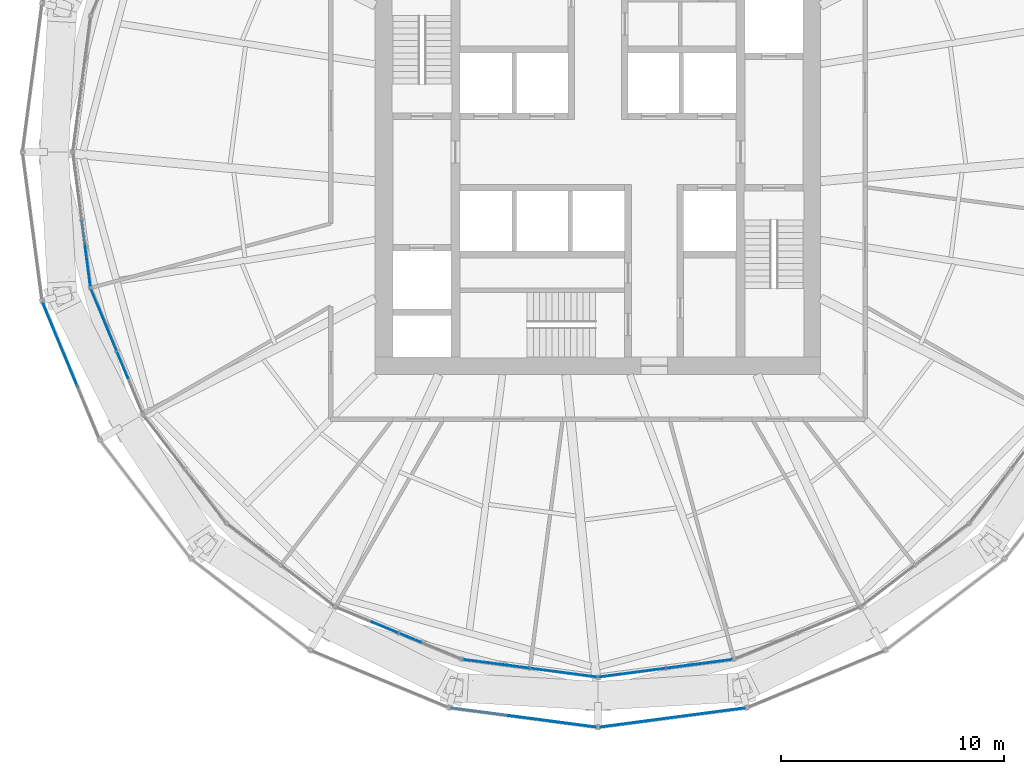
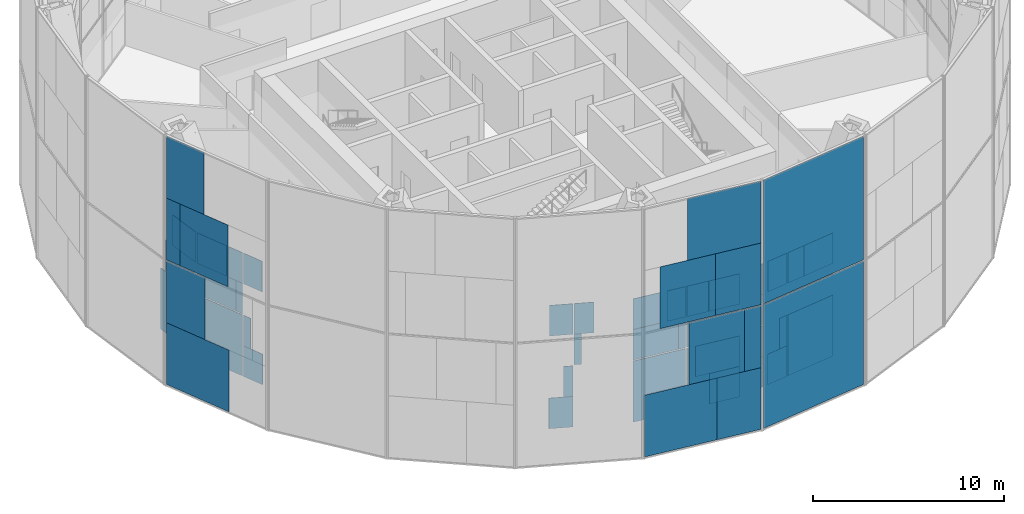
# One storey, part 11 of 22: 56 plates, 8 elements without a shape of their own.
"""IFC4 building model written with IfcOpenShell, lengths in metres."""

from ifc_helpers import new_model, si_unit, direction, frame, origin, origin_2d, place, context, subcontext, project, spatial, rectangle, extrude, material, layer, layer_set, type_object, element, aggregate, save


model = new_model("IFC4")

# Units and contexts
model_context = context("Model", 3, precision=1e-05, world=origin(), true_north=direction((0.0, 1.0)))
body_context = subcontext(model_context, "Body", "Model", "MODEL_VIEW")
ifc_project = project(units=[si_unit("LENGTHUNIT", "METRE"), si_unit("AREAUNIT", "SQUARE_METRE"), si_unit("VOLUMEUNIT", "CUBIC_METRE"), si_unit("PLANEANGLEUNIT", "RADIAN"), si_unit("MASSUNIT", "GRAM", prefix="KILO")], contexts=[model_context])

# Site, building, storey
site_placement = place(None, origin())
site = spatial("IfcSite", under=ifc_project, at=site_placement, CompositionType="ELEMENT")
building_placement = place(site_placement, origin())
building = spatial("IfcBuilding", under=site, at=building_placement, Name="Golbaran Civic Tower", CompositionType="ELEMENT")
storey_placement = place(building_placement, frame((0.0, 0.0, 53.0)))
storey = spatial("IfcBuildingStorey", under=building, at=storey_placement, Name="L12", CompositionType="ELEMENT", Elevation=53.0)

# Curtain wall, plates
ifc_material_1 = material(Name="Aluminium and glass", Category="aluminium")
curtain_wall_type_1 = type_object("IfcCurtainWallType", Name="INNER SKIN CURTAIN WALL", PredefinedType="NOTDEFINED", material=ifc_material_1)
curtain_wall_1_placement = place(storey_placement, origin())
curtain_wall_1 = element("IfcCurtainWall", 1, at=curtain_wall_1_placement, inside=storey, type_object=curtain_wall_type_1, Name="Inner skin L12 facet 13 CW1", ObjectType="INNER SKIN", PredefinedType="USERDEFINED")
ifc_material_2 = material(Name="Clear insulating glass", Category="glass")
ifc_layer_1 = layer(ifc_material_2, 0.031982421875, Name="Clear insulating glass")
ifc_layer_set_1 = layer_set([ifc_layer_1], Name="Clear insulating glass")
plate_type_1 = type_object("IfcPlateType", Name="INNER SKIN CURTAIN WALL GLAZED PANEL", PredefinedType="CURTAIN_PANEL", material=ifc_layer_set_1)
plate_1_placement = place(storey_placement, frame((-22.984375, -4.56201171875, 0.06494140625), z_axis=(0.0, 0.0, 1.0), x_axis=(0.13052619222, -0.991444861374, 0.0)))
plate_1 = element("IfcPlate", 2, at=plate_1_placement, type_object=plate_type_1, Name="CW1 panel 2.1", PredefinedType="CURTAIN_PANEL", context=body_context, shape_type="SweptSolid", body=[
    extrude(rectangle(XDim=2.98095703125, YDim=0.031982421875, at=origin_2d()), origin(), (0.0, 0.0, 1.0), 3.902587890625),
])
plate_2_placement = place(storey_placement, frame((-22.958251953125, -4.76025390625, 4.032470703125), z_axis=(0.0, 0.0, 1.0), x_axis=(0.13052619222, -0.991444861374, 0.0)))
plate_2 = element("IfcPlate", 3, at=plate_2_placement, type_object=plate_type_1, Name="CW1 panel 2.2 part 2", PredefinedType="CURTAIN_PANEL", context=body_context, shape_type="SweptSolid", body=[
    extrude(rectangle(XDim=2.5810546875, YDim=0.031982421875, at=origin_2d()), origin(), (0.0, 0.0, 1.0), 1.951171875),
])
plate_3_placement = place(storey_placement, frame((-22.916259765625, -5.080078125, 5.98388671875), z_axis=(0.0, 0.0, 1.0), x_axis=(0.13052619222, -0.991444861374, 0.0)))
plate_3 = element("IfcPlate", 4, at=plate_3_placement, type_object=plate_type_1, Name="CW1 panel 2.2 part 4", PredefinedType="CURTAIN_PANEL", context=body_context, shape_type="SweptSolid", body=[
    extrude(rectangle(XDim=1.93603515625, YDim=0.031982421875, at=origin_2d()), origin(), (0.0, 0.0, 1.0), 1.951171875),
])
aggregate(curtain_wall_1, [plate_1, plate_2, plate_3])

curtain_wall_2_placement = place(storey_placement, origin())
curtain_wall_2 = element("IfcCurtainWall", 5, at=curtain_wall_2_placement, inside=storey, type_object=curtain_wall_type_1, Name="Inner skin L12 facet 14 CW1", ObjectType="INNER SKIN", PredefinedType="USERDEFINED")
plate_4_placement = place(storey_placement, frame((-22.18603515625, -7.541259765625, 0.06494140625), z_axis=(0.0, 0.0, 1.0), x_axis=(0.382683432413, -0.923879532491, 0.0)))
plate_4 = element("IfcPlate", 6, at=plate_4_placement, type_object=plate_type_1, Name="CW1 panel 1.1", PredefinedType="CURTAIN_PANEL", context=body_context, shape_type="SweptSolid", body=[
    extrude(rectangle(XDim=2.98095703125, YDim=0.031982421875, at=origin_2d()), origin(), (0.0, 0.0, 1.0), 3.902587890625),
])
plate_5_placement = place(storey_placement, frame((-22.262939453125, -7.355712890625, 4.032470703125), z_axis=(0.0, 0.0, 1.0), x_axis=(0.382683432413, -0.923879532491, 0.0)))
plate_5 = element("IfcPlate", 7, at=plate_5_placement, type_object=plate_type_1, Name="CW1 panel 1.2 part 1", PredefinedType="CURTAIN_PANEL", context=body_context, shape_type="SweptSolid", body=[
    extrude(rectangle(XDim=2.5791015625, YDim=0.031982421875, at=origin_2d()), origin(), (0.0, 0.0, 1.0), 1.951171875),
])
plate_6_placement = place(storey_placement, frame((-22.385986328125, -7.05859375, 5.98388671875), z_axis=(0.0, 0.0, 1.0), x_axis=(0.382683432413, -0.923879532491, 0.0)))
plate_6 = element("IfcPlate", 8, at=plate_6_placement, type_object=plate_type_1, Name="CW1 panel 1.2 part 3", PredefinedType="CURTAIN_PANEL", context=body_context, shape_type="SweptSolid", body=[
    extrude(rectangle(XDim=1.93603515625, YDim=0.031982421875, at=origin_2d()), origin(), (0.0, 0.0, 1.0), 1.951171875),
])
plate_7_placement = place(storey_placement, frame((-21.34765625, -9.5654296875, 0.06494140625), z_axis=(0.0, 0.0, 1.0), x_axis=(0.382683432413, -0.923879532491, 0.0)))
plate_7 = element("IfcPlate", 9, at=plate_7_placement, type_object=plate_type_1, Name="CW1 panel 2.1 part 1", PredefinedType="CURTAIN_PANEL", context=body_context, shape_type="SweptSolid", body=[
    extrude(rectangle(XDim=1.27099609375, YDim=0.031982421875, at=origin_2d()), origin(), (0.0, 0.0, 1.0), 1.951171875),
])
plate_8_placement = place(storey_placement, frame((-21.497802734375, -9.202880859375, 2.016357421875), z_axis=(0.0, 0.0, 1.0), x_axis=(0.382683432413, -0.923879532491, 0.0)))
plate_8 = element("IfcPlate", 10, at=plate_8_placement, type_object=plate_type_1, Name="CW1 panel 2.1 part 3", PredefinedType="CURTAIN_PANEL", context=body_context, shape_type="SweptSolid", body=[
    extrude(rectangle(XDim=0.486083984375, YDim=0.031982421875, at=origin_2d()), origin(), (0.0, 0.0, 1.0), 1.951171875),
])

curtain_wall_3_placement = place(storey_placement, origin())
curtain_wall_3 = element("IfcCurtainWall", 11, at=curtain_wall_3_placement, inside=storey, type_object=curtain_wall_type_1, Name="Inner skin L12 facet 17 CW1", ObjectType="INNER SKIN", PredefinedType="USERDEFINED")
plate_9_placement = place(storey_placement, frame((-9.5654296875, -21.34765625, 0.06494140625), z_axis=(0.0, 0.0, 1.0), x_axis=(0.923879532491, -0.382683432413, 0.0)))
plate_9 = element("IfcPlate", 12, at=plate_9_placement, type_object=plate_type_1, Name="CW1 panel 1.1 part 2", PredefinedType="CURTAIN_PANEL", context=body_context, shape_type="SweptSolid", body=[
    extrude(rectangle(XDim=1.27099609375, YDim=0.031982421875, at=origin_2d()), origin(), (0.0, 0.0, 1.0), 1.951171875),
])
plate_10_placement = place(storey_placement, frame((-9.202880859375, -21.497802734375, 2.016357421875), z_axis=(0.0, 0.0, 1.0), x_axis=(0.923879532491, -0.382683432413, 0.0)))
plate_10 = element("IfcPlate", 13, at=plate_10_placement, type_object=plate_type_1, Name="CW1 panel 1.1 part 4", PredefinedType="CURTAIN_PANEL", context=body_context, shape_type="SweptSolid", body=[
    extrude(rectangle(XDim=0.48583984375, YDim=0.031982421875, at=origin_2d()), origin(), (0.0, 0.0, 1.0), 1.951171875),
])

curtain_wall_4_placement = place(storey_placement, origin())
curtain_wall_4 = element("IfcCurtainWall", 14, at=curtain_wall_4_placement, inside=storey, type_object=curtain_wall_type_1, Name="Inner skin L12 facet 18 CW1", ObjectType="INNER SKIN", PredefinedType="USERDEFINED")
plate_11_placement = place(storey_placement, frame((-4.56201171875, -22.984375, 0.06494140625), z_axis=(0.0, 0.0, 1.0), x_axis=(0.991444861374, -0.13052619222, 0.0)))
plate_11 = element("IfcPlate", 15, at=plate_11_placement, type_object=plate_type_1, Name="CW1 panel 1.1", PredefinedType="CURTAIN_PANEL", context=body_context, shape_type="SweptSolid", body=[
    extrude(rectangle(XDim=2.98095703125, YDim=0.031982421875, at=origin_2d()), origin(), (0.0, 0.0, 1.0), 3.902587890625),
])
plate_12_placement = place(storey_placement, frame((-4.76123046875, -22.958251953125, 4.032470703125), z_axis=(0.0, 0.0, 1.0), x_axis=(0.991444861374, -0.13052619222, 0.0)))
plate_12 = element("IfcPlate", 16, at=plate_12_placement, type_object=plate_type_1, Name="CW1 panel 1.2 part 1", PredefinedType="CURTAIN_PANEL", context=body_context, shape_type="SweptSolid", body=[
    extrude(rectangle(XDim=2.5791015625, YDim=0.031982421875, at=origin_2d()), origin(), (0.0, 0.0, 1.0), 1.951171875),
])
plate_13_placement = place(storey_placement, frame((-5.080078125, -22.916259765625, 5.98388671875), z_axis=(0.0, 0.0, 1.0), x_axis=(0.991444861374, -0.13052619222, 0.0)))
plate_13 = element("IfcPlate", 17, at=plate_13_placement, type_object=plate_type_1, Name="CW1 panel 1.2 part 3", PredefinedType="CURTAIN_PANEL", context=body_context, shape_type="SweptSolid", body=[
    extrude(rectangle(XDim=1.93603515625, YDim=0.031982421875, at=origin_2d()), origin(), (0.0, 0.0, 1.0), 1.951171875),
])
plate_14_placement = place(storey_placement, frame((-2.389892578125, -23.270263671875, 0.06494140625), z_axis=(0.0, 0.0, 1.0), x_axis=(0.991444861374, -0.13052619222, 0.0)))
plate_14 = element("IfcPlate", 18, at=plate_14_placement, type_object=plate_type_1, Name="CW1 panel 2.1 part 1", PredefinedType="CURTAIN_PANEL", context=body_context, shape_type="SweptSolid", body=[
    extrude(rectangle(XDim=1.27099609375, YDim=0.031982421875, at=origin_2d()), origin(), (0.0, 0.0, 1.0), 1.951171875),
])
plate_15_placement = place(storey_placement, frame((-2.779052734375, -23.21923828125, 2.016357421875), z_axis=(0.0, 0.0, 1.0), x_axis=(0.991444861374, -0.13052619222, 0.0)))
plate_15 = element("IfcPlate", 19, at=plate_15_placement, type_object=plate_type_1, Name="CW1 panel 2.1 part 3", PredefinedType="CURTAIN_PANEL", context=body_context, shape_type="SweptSolid", body=[
    extrude(rectangle(XDim=0.486083984375, YDim=0.031982421875, at=origin_2d()), origin(), (0.0, 0.0, 1.0), 1.951171875),
])
plate_16_placement = place(storey_placement, frame((-0.536376953125, -23.514404296875, 4.032470703125), z_axis=(0.0, 0.0, 1.0), x_axis=(0.991444861374, -0.13052619222, 0.0)))
plate_16 = element("IfcPlate", 20, at=plate_16_placement, type_object=plate_type_1, Name="CW1 panel 2.2 part 2", PredefinedType="CURTAIN_PANEL", context=body_context, shape_type="SweptSolid", body=[
    extrude(rectangle(XDim=0.951904296875, YDim=0.031982421875, at=origin_2d()), origin(), (0.0, 0.0, 1.0), 1.951171875),
])
plate_17_placement = place(storey_placement, frame((-0.927490234375, -23.462890625, 5.98388671875), z_axis=(0.0, 0.0, 1.0), x_axis=(0.991444861374, -0.13052619222, 0.0)))
plate_17 = element("IfcPlate", 21, at=plate_17_placement, type_object=plate_type_1, Name="CW1 panel 2.2 part 4", PredefinedType="CURTAIN_PANEL", context=body_context, shape_type="SweptSolid", body=[
    extrude(rectangle(XDim=1.740966796875, YDim=0.031982421875, at=origin_2d()), origin(), (0.0, 0.0, 1.0), 1.951171875),
])

curtain_wall_5_placement = place(storey_placement, origin())
curtain_wall_5 = element("IfcCurtainWall", 22, at=curtain_wall_5_placement, inside=storey, type_object=curtain_wall_type_1, Name="Inner skin L12 facet 19 CW1", ObjectType="INNER SKIN", PredefinedType="USERDEFINED")
plate_18_placement = place(storey_placement, frame((2.389892578125, -23.270263671875, 0.06494140625), z_axis=(0.0, 0.0, 1.0), x_axis=(0.991444861374, 0.13052619222, 0.0)))
plate_18 = element("IfcPlate", 23, at=plate_18_placement, type_object=plate_type_1, Name="CW1 panel 1.1 part 2", PredefinedType="CURTAIN_PANEL", context=body_context, shape_type="SweptSolid", body=[
    extrude(rectangle(XDim=1.27099609375, YDim=0.031982421875, at=origin_2d()), origin(), (0.0, 0.0, 1.0), 1.951171875),
])
plate_19_placement = place(storey_placement, frame((2.779052734375, -23.21923828125, 2.016357421875), z_axis=(0.0, 0.0, 1.0), x_axis=(0.991444861374, 0.13052619222, 0.0)))
plate_19 = element("IfcPlate", 24, at=plate_19_placement, type_object=plate_type_1, Name="CW1 panel 1.1 part 4", PredefinedType="CURTAIN_PANEL", context=body_context, shape_type="SweptSolid", body=[
    extrude(rectangle(XDim=0.48583984375, YDim=0.031982421875, at=origin_2d()), origin(), (0.0, 0.0, 1.0), 1.951171875),
])
plate_20_placement = place(storey_placement, frame((0.536376953125, -23.514404296875, 4.032470703125), z_axis=(0.0, 0.0, 1.0), x_axis=(0.991444861374, 0.13052619222, 0.0)))
plate_20 = element("IfcPlate", 25, at=plate_20_placement, type_object=plate_type_1, Name="CW1 panel 1.2 part 1", PredefinedType="CURTAIN_PANEL", context=body_context, shape_type="SweptSolid", body=[
    extrude(rectangle(XDim=0.951904296875, YDim=0.031982421875, at=origin_2d()), origin(), (0.0, 0.0, 1.0), 1.951171875),
])
plate_21_placement = place(storey_placement, frame((0.927490234375, -23.462890625, 5.98388671875), z_axis=(0.0, 0.0, 1.0), x_axis=(0.991444861374, 0.13052619222, 0.0)))
plate_21 = element("IfcPlate", 26, at=plate_21_placement, type_object=plate_type_1, Name="CW1 panel 1.2 part 3", PredefinedType="CURTAIN_PANEL", context=body_context, shape_type="SweptSolid", body=[
    extrude(rectangle(XDim=1.740966796875, YDim=0.031982421875, at=origin_2d()), origin(), (0.0, 0.0, 1.0), 1.951171875),
])
plate_22_placement = place(storey_placement, frame((4.56201171875, -22.984375, 0.06494140625), z_axis=(0.0, 0.0, 1.0), x_axis=(0.991444861374, 0.13052619222, 0.0)))
plate_22 = element("IfcPlate", 27, at=plate_22_placement, type_object=plate_type_1, Name="CW1 panel 2.1", PredefinedType="CURTAIN_PANEL", context=body_context, shape_type="SweptSolid", body=[
    extrude(rectangle(XDim=2.98095703125, YDim=0.031982421875, at=origin_2d()), origin(), (0.0, 0.0, 1.0), 3.902587890625),
])
plate_23_placement = place(storey_placement, frame((4.76025390625, -22.958251953125, 4.032470703125), z_axis=(0.0, 0.0, 1.0), x_axis=(0.991444861374, 0.13052619222, 0.0)))
plate_23 = element("IfcPlate", 28, at=plate_23_placement, type_object=plate_type_1, Name="CW1 panel 2.2 part 2", PredefinedType="CURTAIN_PANEL", context=body_context, shape_type="SweptSolid", body=[
    extrude(rectangle(XDim=2.5810546875, YDim=0.031982421875, at=origin_2d()), origin(), (0.0, 0.0, 1.0), 1.951171875),
])
plate_24_placement = place(storey_placement, frame((5.080078125, -22.916259765625, 5.98388671875), z_axis=(0.0, 0.0, 1.0), x_axis=(0.991444861374, 0.13052619222, 0.0)))
plate_24 = element("IfcPlate", 29, at=plate_24_placement, type_object=plate_type_1, Name="CW1 panel 2.2 part 4", PredefinedType="CURTAIN_PANEL", context=body_context, shape_type="SweptSolid", body=[
    extrude(rectangle(XDim=1.93603515625, YDim=0.031982421875, at=origin_2d()), origin(), (0.0, 0.0, 1.0), 1.951171875),
])

# Plate
ifc_material_3 = material(Name="Aluminium faced opaque infill panel", Category="aluminium")
ifc_layer_2 = layer(ifc_material_3, 0.031982421875, Name="Aluminium faced opaque infill panel")
ifc_layer_set_2 = layer_set([ifc_layer_2], Name="Aluminium faced opaque infill panel")
plate_type_2 = type_object("IfcPlateType", Name="INNER SKIN CURTAIN WALL OPAQUE INFILL PANEL", PredefinedType="CURTAIN_PANEL", material=ifc_layer_set_2)
plate_25_placement = place(storey_placement, frame((-21.692626953125, -8.732666015625, 4.032470703125), z_axis=(0.0, 0.0, 1.0), x_axis=(0.382683432413, -0.923879532491, 0.0)))
plate_25 = element("IfcPlate", 30, at=plate_25_placement, type_object=plate_type_2, Name="CW1 infill panel 1.2 part 2", PredefinedType="CURTAIN_PANEL", context=body_context, shape_type="SweptSolid", body=[
    extrude(rectangle(XDim=0.40185546875, YDim=0.031982421875, at=origin_2d()), origin(), (0.0, 0.0, 1.0), 1.951171875),
])

plate_26_placement = place(storey_placement, frame((-21.815673828125, -8.435546875, 5.98388671875), z_axis=(0.0, 0.0, 1.0), x_axis=(0.382683432413, -0.923879532491, 0.0)))
plate_26 = element("IfcPlate", 31, at=plate_26_placement, type_object=plate_type_2, Name="CW1 infill panel 1.2 part 4", PredefinedType="CURTAIN_PANEL", context=body_context, shape_type="SweptSolid", body=[
    extrude(rectangle(XDim=1.044921875, YDim=0.031982421875, at=origin_2d()), origin(), (0.0, 0.0, 1.0), 1.951171875),
])

plate_27_placement = place(storey_placement, frame((-21.353515625, -9.55126953125, 5.98388671875), z_axis=(0.0, 0.0, 1.0), x_axis=(0.382683432413, -0.923879532491, 0.0)))
plate_27 = element("IfcPlate", 32, at=plate_27_placement, type_object=plate_type_2, Name="CW1 infill panel 2.2 part 3", PredefinedType="CURTAIN_PANEL", context=body_context, shape_type="SweptSolid", body=[
    extrude(rectangle(XDim=1.239990234375, YDim=0.031982421875, at=origin_2d()), origin(), (0.0, 0.0, 1.0), 1.951171875),
])

aggregate(curtain_wall_2, [plate_4, plate_5, plate_25, plate_6, plate_26, plate_7, plate_8, plate_27])

plate_28_placement = place(storey_placement, frame((-9.55126953125, -21.353515625, 5.98388671875), z_axis=(0.0, 0.0, 1.0), x_axis=(0.923879532491, -0.382683432413, 0.0)))
plate_28 = element("IfcPlate", 33, at=plate_28_placement, type_object=plate_type_2, Name="CW1 infill panel 1.2 part 4", PredefinedType="CURTAIN_PANEL", context=body_context, shape_type="SweptSolid", body=[
    extrude(rectangle(XDim=1.239990234375, YDim=0.031982421875, at=origin_2d()), origin(), (0.0, 0.0, 1.0), 1.951171875),
])

plate_29_placement = place(storey_placement, frame((-8.733642578125, -21.692138671875, 4.032470703125), z_axis=(0.0, 0.0, 1.0), x_axis=(0.923879532491, -0.382683432413, 0.0)))
plate_29 = element("IfcPlate", 34, at=plate_29_placement, type_object=plate_type_2, Name="CW1 infill panel 2.2 part 1", PredefinedType="CURTAIN_PANEL", context=body_context, shape_type="SweptSolid", body=[
    extrude(rectangle(XDim=0.39990234375, YDim=0.031982421875, at=origin_2d()), origin(), (0.0, 0.0, 1.0), 1.951171875),
])

plate_30_placement = place(storey_placement, frame((-8.435546875, -21.815673828125, 5.98388671875), z_axis=(0.0, 0.0, 1.0), x_axis=(0.923879532491, -0.382683432413, 0.0)))
plate_30 = element("IfcPlate", 35, at=plate_30_placement, type_object=plate_type_2, Name="CW1 infill panel 2.2 part 3", PredefinedType="CURTAIN_PANEL", context=body_context, shape_type="SweptSolid", body=[
    extrude(rectangle(XDim=1.044921875, YDim=0.031982421875, at=origin_2d()), origin(), (0.0, 0.0, 1.0), 1.951171875),
])

aggregate(curtain_wall_3, [plate_9, plate_10, plate_28, plate_29, plate_30])

plate_31_placement = place(storey_placement, frame((-3.28369140625, -23.152587890625, 4.032470703125), z_axis=(0.0, 0.0, 1.0), x_axis=(0.991444861374, -0.13052619222, 0.0)))
plate_31 = element("IfcPlate", 36, at=plate_31_placement, type_object=plate_type_2, Name="CW1 infill panel 1.2 part 2", PredefinedType="CURTAIN_PANEL", context=body_context, shape_type="SweptSolid", body=[
    extrude(rectangle(XDim=0.40185546875, YDim=0.031982421875, at=origin_2d()), origin(), (0.0, 0.0, 1.0), 1.951171875),
])

plate_32_placement = place(storey_placement, frame((-3.602294921875, -23.11083984375, 5.98388671875), z_axis=(0.0, 0.0, 1.0), x_axis=(0.991444861374, -0.13052619222, 0.0)))
plate_32 = element("IfcPlate", 37, at=plate_32_placement, type_object=plate_type_2, Name="CW1 infill panel 1.2 part 4", PredefinedType="CURTAIN_PANEL", context=body_context, shape_type="SweptSolid", body=[
    extrude(rectangle(XDim=1.044921875, YDim=0.031982421875, at=origin_2d()), origin(), (0.0, 0.0, 1.0), 1.951171875),
])

plate_33_placement = place(storey_placement, frame((-0.912109375, -23.46484375, 0.06494140625), z_axis=(0.0, 0.0, 1.0), x_axis=(0.991444861374, -0.13052619222, 0.0)))
plate_33 = element("IfcPlate", 38, at=plate_33_placement, type_object=plate_type_2, Name="CW1 infill panel 2.1 part 2", PredefinedType="CURTAIN_PANEL", context=body_context, shape_type="SweptSolid", body=[
    extrude(rectangle(XDim=1.7099609375, YDim=0.031982421875, at=origin_2d()), origin(), (0.0, 0.0, 1.0), 1.951171875),
])

plate_34_placement = place(storey_placement, frame((-1.30126953125, -23.41357421875, 2.016357421875), z_axis=(0.0, 0.0, 1.0), x_axis=(0.991444861374, -0.13052619222, 0.0)))
plate_34 = element("IfcPlate", 39, at=plate_34_placement, type_object=plate_type_2, Name="CW1 infill panel 2.1 part 4", PredefinedType="CURTAIN_PANEL", context=body_context, shape_type="SweptSolid", body=[
    extrude(rectangle(XDim=2.494873046875, YDim=0.031982421875, at=origin_2d()), origin(), (0.0, 0.0, 1.0), 1.951171875),
])

plate_35_placement = place(storey_placement, frame((-2.01416015625, -23.31982421875, 4.032470703125), z_axis=(0.0, 0.0, 1.0), x_axis=(0.991444861374, -0.13052619222, 0.0)))
plate_35 = element("IfcPlate", 40, at=plate_35_placement, type_object=plate_type_2, Name="CW1 infill panel 2.2 part 1", PredefinedType="CURTAIN_PANEL", context=body_context, shape_type="SweptSolid", body=[
    extrude(rectangle(XDim=2.029052734375, YDim=0.031982421875, at=origin_2d()), origin(), (0.0, 0.0, 1.0), 1.951171875),
])

plate_36_placement = place(storey_placement, frame((-2.4052734375, -23.268310546875, 5.98388671875), z_axis=(0.0, 0.0, 1.0), x_axis=(0.991444861374, -0.13052619222, 0.0)))
plate_36 = element("IfcPlate", 41, at=plate_36_placement, type_object=plate_type_2, Name="CW1 infill panel 2.2 part 3", PredefinedType="CURTAIN_PANEL", context=body_context, shape_type="SweptSolid", body=[
    extrude(rectangle(XDim=1.239990234375, YDim=0.031982421875, at=origin_2d()), origin(), (0.0, 0.0, 1.0), 1.951171875),
])

aggregate(curtain_wall_4, [plate_11, plate_12, plate_31, plate_13, plate_32, plate_14, plate_33, plate_15, plate_34, plate_35, plate_16, plate_36, plate_17])

plate_37_placement = place(storey_placement, frame((0.912109375, -23.46484375, 0.06494140625), z_axis=(0.0, 0.0, 1.0), x_axis=(0.991444861374, 0.13052619222, 0.0)))
plate_37 = element("IfcPlate", 42, at=plate_37_placement, type_object=plate_type_2, Name="CW1 infill panel 1.1 part 1", PredefinedType="CURTAIN_PANEL", context=body_context, shape_type="SweptSolid", body=[
    extrude(rectangle(XDim=1.7099609375, YDim=0.031982421875, at=origin_2d()), origin(), (0.0, 0.0, 1.0), 1.951171875),
])

plate_38_placement = place(storey_placement, frame((1.30126953125, -23.41357421875, 2.016357421875), z_axis=(0.0, 0.0, 1.0), x_axis=(0.991444861374, 0.13052619222, 0.0)))
plate_38 = element("IfcPlate", 43, at=plate_38_placement, type_object=plate_type_2, Name="CW1 infill panel 1.1 part 3", PredefinedType="CURTAIN_PANEL", context=body_context, shape_type="SweptSolid", body=[
    extrude(rectangle(XDim=2.4951171875, YDim=0.031982421875, at=origin_2d()), origin(), (0.0, 0.0, 1.0), 1.951171875),
])

plate_39_placement = place(storey_placement, frame((2.01416015625, -23.31982421875, 4.032470703125), z_axis=(0.0, 0.0, 1.0), x_axis=(0.991444861374, 0.13052619222, 0.0)))
plate_39 = element("IfcPlate", 44, at=plate_39_placement, type_object=plate_type_2, Name="CW1 infill panel 1.2 part 2", PredefinedType="CURTAIN_PANEL", context=body_context, shape_type="SweptSolid", body=[
    extrude(rectangle(XDim=2.029052734375, YDim=0.031982421875, at=origin_2d()), origin(), (0.0, 0.0, 1.0), 1.951171875),
])

plate_40_placement = place(storey_placement, frame((2.4052734375, -23.268310546875, 5.98388671875), z_axis=(0.0, 0.0, 1.0), x_axis=(0.991444861374, 0.13052619222, 0.0)))
plate_40 = element("IfcPlate", 45, at=plate_40_placement, type_object=plate_type_2, Name="CW1 infill panel 1.2 part 4", PredefinedType="CURTAIN_PANEL", context=body_context, shape_type="SweptSolid", body=[
    extrude(rectangle(XDim=1.239990234375, YDim=0.031982421875, at=origin_2d()), origin(), (0.0, 0.0, 1.0), 1.951171875),
])

plate_41_placement = place(storey_placement, frame((3.28271484375, -23.15283203125, 4.032470703125), z_axis=(0.0, 0.0, 1.0), x_axis=(0.991444861374, 0.13052619222, 0.0)))
plate_41 = element("IfcPlate", 46, at=plate_41_placement, type_object=plate_type_2, Name="CW1 infill panel 2.2 part 1", PredefinedType="CURTAIN_PANEL", context=body_context, shape_type="SweptSolid", body=[
    extrude(rectangle(XDim=0.39990234375, YDim=0.031982421875, at=origin_2d()), origin(), (0.0, 0.0, 1.0), 1.951171875),
])

plate_42_placement = place(storey_placement, frame((3.602294921875, -23.11083984375, 5.98388671875), z_axis=(0.0, 0.0, 1.0), x_axis=(0.991444861374, 0.13052619222, 0.0)))
plate_42 = element("IfcPlate", 47, at=plate_42_placement, type_object=plate_type_2, Name="CW1 infill panel 2.2 part 3", PredefinedType="CURTAIN_PANEL", context=body_context, shape_type="SweptSolid", body=[
    extrude(rectangle(XDim=1.044921875, YDim=0.031982421875, at=origin_2d()), origin(), (0.0, 0.0, 1.0), 1.951171875),
])

aggregate(curtain_wall_5, [plate_37, plate_18, plate_38, plate_19, plate_20, plate_39, plate_21, plate_40, plate_22, plate_41, plate_23, plate_42, plate_24])

# Curtain wall, plates
curtain_wall_type_2 = type_object("IfcCurtainWallType", Name="OUTER SKIN TERRACOTTA SCREEN", PredefinedType="NOTDEFINED", material=ifc_material_1)
curtain_wall_6_placement = place(storey_placement, origin())
curtain_wall_6 = element("IfcCurtainWall", 48, at=curtain_wall_6_placement, inside=storey, type_object=curtain_wall_type_2, Name="Outer skin L12 facet 14 CW3", ObjectType="OUTER SKIN", PredefinedType="USERDEFINED")
ifc_material_4 = material(Name="Clear laminated glass", Category="glass")
ifc_layer_3 = layer(ifc_material_4, 0.0400390625, Name="Clear laminated glass")
ifc_layer_set_3 = layer_set([ifc_layer_3], Name="Clear laminated glass")
plate_type_3 = type_object("IfcPlateType", Name="OUTER SKIN CLEAR GLASS PANEL", PredefinedType="CURTAIN_PANEL", material=ifc_layer_set_3)
plate_43_placement = place(storey_placement, frame((-24.14453125, -8.658203125, -0.6298828125), z_axis=(0.0, 0.0, 1.0), x_axis=(0.382683432349, -0.923879532518, 0.0)))
plate_43 = element("IfcPlate", 49, at=plate_43_placement, type_object=plate_type_3, Name="CW3 panel 1.1 part 1", PredefinedType="CURTAIN_PANEL", context=body_context, shape_type="SweptSolid", body=[
    extrude(rectangle(XDim=4.10498046875, YDim=0.0400390625, at=origin_2d()), origin(), (0.0, 0.0, 1.0), 3.93994140625),
])
plate_44_placement = place(storey_placement, frame((-24.449462890625, -7.921875, 3.31005859375), z_axis=(0.0, 0.0, 1.0), x_axis=(0.382683432349, -0.923879532518, 0.0)))
plate_44 = element("IfcPlate", 50, at=plate_44_placement, type_object=plate_type_3, Name="CW3 panel 1.1 part 3", PredefinedType="CURTAIN_PANEL", context=body_context, shape_type="SweptSolid", body=[
    extrude(rectangle(XDim=2.510986328125, YDim=0.0400390625, at=origin_2d()), origin(), (0.0, 0.0, 1.0), 3.93994140625),
])
plate_45_placement = place(storey_placement, frame((-24.76025390625, -7.17138671875, 7.330078125), z_axis=(0.0, 0.0, 1.0), x_axis=(0.382683432349, -0.923879532518, 0.0)))
plate_45 = element("IfcPlate", 51, at=plate_45_placement, type_object=plate_type_3, Name="CW3 panel 1.2 part 1", PredefinedType="CURTAIN_PANEL", context=body_context, shape_type="SweptSolid", body=[
    extrude(rectangle(XDim=0.885986328125, YDim=0.0400390625, at=origin_2d()), origin(), (0.0, 0.0, 1.0), 3.93994140625),
])

curtain_wall_7_placement = place(storey_placement, origin())
curtain_wall_7 = element("IfcCurtainWall", 52, at=curtain_wall_7_placement, inside=storey, type_object=curtain_wall_type_2, Name="Outer skin L12 facet 18 CW3", ObjectType="OUTER SKIN", PredefinedType="USERDEFINED")
plate_46_placement = place(storey_placement, frame((-4.573974609375, -25.23876953125, -0.6298828125), z_axis=(0.0, 0.0, 1.0), x_axis=(0.991444861369, -0.130526192255, 0.0)))
plate_46 = element("IfcPlate", 53, at=plate_46_placement, type_object=plate_type_3, Name="CW3 panel 1.1 part 1", PredefinedType="CURTAIN_PANEL", context=body_context, shape_type="SweptSolid", body=[
    extrude(rectangle(XDim=4.10498046875, YDim=0.0400390625, at=origin_2d()), origin(), (0.0, 0.0, 1.0), 3.93994140625),
])
plate_47_placement = place(storey_placement, frame((-0.543212890625, -25.76953125, 3.31005859375), z_axis=(0.0, 0.0, 1.0), x_axis=(0.991444861369, -0.130526192255, 0.0)))
plate_47 = element("IfcPlate", 54, at=plate_47_placement, type_object=plate_type_3, Name="CW3 panel 1.1 part 5", PredefinedType="CURTAIN_PANEL", context=body_context, shape_type="SweptSolid", body=[
    extrude(rectangle(XDim=0.935791015625, YDim=0.0400390625, at=origin_2d()), origin(), (0.0, 0.0, 1.0), 3.93994140625),
])
plate_48_placement = place(storey_placement, frame((-1.3447265625, -25.6640625, 7.330078125), z_axis=(0.0, 0.0, 1.0), x_axis=(0.991444861369, -0.130526192255, 0.0)))
plate_48 = element("IfcPlate", 55, at=plate_48_placement, type_object=plate_type_3, Name="CW3 panel 1.2 part 3", PredefinedType="CURTAIN_PANEL", context=body_context, shape_type="SweptSolid", body=[
    extrude(rectangle(XDim=2.552734375, YDim=0.0400390625, at=origin_2d()), origin(), (0.0, 0.0, 1.0), 3.93994140625),
])
plate_49_placement = place(storey_placement, frame((-2.130615234375, -25.560546875, 11.27001953125), z_axis=(0.0, 0.0, 1.0), x_axis=(0.991444861369, -0.130526192255, 0.0)))
plate_49 = element("IfcPlate", 56, at=plate_49_placement, type_object=plate_type_3, Name="CW3 panel 1.2 part 5", PredefinedType="CURTAIN_PANEL", context=body_context, shape_type="SweptSolid", body=[
    extrude(rectangle(XDim=4.137939453125, YDim=0.0400390625, at=origin_2d()), origin(), (0.0, 0.0, 1.0), 3.93994140625),
])

# Plate
ifc_material_5 = material(Name="Terracotta baguette screen", Category="masonry")
ifc_layer_4 = layer(ifc_material_5, 0.0400390625, Name="Terracotta baguette screen")
ifc_layer_set_4 = layer_set([ifc_layer_4], Name="Terracotta baguette screen")
plate_type_4 = type_object("IfcPlateType", Name="OUTER SKIN TERRACOTTA INFILL PANEL", PredefinedType="CURTAIN_PANEL", material=ifc_layer_set_4)
plate_50_placement = place(storey_placement, frame((-23.98876953125, -9.034423828125, 7.330078125), z_axis=(0.0, 0.0, 1.0), x_axis=(0.382683432349, -0.923879532518, 0.0)))
plate_50 = element("IfcPlate", 57, at=plate_50_placement, type_object=plate_type_4, Name="CW3 infill panel 1.2 part 2", PredefinedType="CURTAIN_PANEL", context=body_context, shape_type="SweptSolid", body=[
    extrude(rectangle(XDim=3.14697265625, YDim=0.0400390625, at=origin_2d()), origin(), (0.0, 0.0, 1.0), 3.93994140625),
])

plate_51_placement = place(storey_placement, frame((-24.46142578125, -7.892822265625, 11.27001953125), z_axis=(0.0, 0.0, 1.0), x_axis=(0.382683432349, -0.923879532518, 0.0)))
plate_51 = element("IfcPlate", 58, at=plate_51_placement, type_object=plate_type_4, Name="CW3 infill panel 1.2 part 4", PredefinedType="CURTAIN_PANEL", context=body_context, shape_type="SweptSolid", body=[
    extrude(rectangle(XDim=2.447998046875, YDim=0.0400390625, at=origin_2d()), origin(), (0.0, 0.0, 1.0), 3.93994140625),
])

aggregate(curtain_wall_6, [plate_43, plate_44, plate_45, plate_50, plate_51])

plate_52_placement = place(storey_placement, frame((-1.30908203125, -25.668701171875, -0.6298828125), z_axis=(0.0, 0.0, 1.0), x_axis=(0.991444861369, -0.130526192255, 0.0)))
plate_52 = element("IfcPlate", 59, at=plate_52_placement, type_object=plate_type_4, Name="CW3 infill panel 1.1 part 2", PredefinedType="CURTAIN_PANEL", context=body_context, shape_type="SweptSolid", body=[
    extrude(rectangle(XDim=2.48095703125, YDim=0.0400390625, at=origin_2d()), origin(), (0.0, 0.0, 1.0), 3.93994140625),
])

plate_53_placement = place(storey_placement, frame((-2.563232421875, -25.503662109375, 3.31005859375), z_axis=(0.0, 0.0, 1.0), x_axis=(0.991444861369, -0.130526192255, 0.0)))
plate_53 = element("IfcPlate", 60, at=plate_53_placement, type_object=plate_type_4, Name="CW3 infill panel 1.1 part 4", PredefinedType="CURTAIN_PANEL", context=body_context, shape_type="SweptSolid", body=[
    extrude(rectangle(XDim=3.138916015625, YDim=0.0400390625, at=origin_2d()), origin(), (0.0, 0.0, 1.0), 3.93994140625),
])

plate_54_placement = place(storey_placement, frame((-4.17041015625, -25.2919921875, 7.330078125), z_axis=(0.0, 0.0, 1.0), x_axis=(0.991444861369, -0.130526192255, 0.0)))
plate_54 = element("IfcPlate", 61, at=plate_54_placement, type_object=plate_type_4, Name="CW3 infill panel 1.2 part 2", PredefinedType="CURTAIN_PANEL", context=body_context, shape_type="SweptSolid", body=[
    extrude(rectangle(XDim=3.14697265625, YDim=0.0400390625, at=origin_2d()), origin(), (0.0, 0.0, 1.0), 3.93994140625),
])

aggregate(curtain_wall_7, [plate_46, plate_52, plate_53, plate_47, plate_54, plate_48, plate_49])

# Curtain wall, plates
curtain_wall_8_placement = place(storey_placement, origin())
curtain_wall_8 = element("IfcCurtainWall", 62, at=curtain_wall_8_placement, inside=storey, type_object=curtain_wall_type_2, Name="Outer skin L12 facet 19 CW3", ObjectType="OUTER SKIN", PredefinedType="USERDEFINED")
ifc_layer_5 = layer(ifc_material_5, 0.0400390625, Name="Terracotta baguette screen")
ifc_layer_set_5 = layer_set([ifc_layer_5], Name="Terracotta baguette screen")
plate_type_5 = type_object("IfcPlateType", Name="OUTER SKIN TERRACOTTA SCREEN PANEL", PredefinedType="CURTAIN_PANEL", material=ifc_layer_set_5)
plate_55_placement = place(storey_placement, frame((3.343994140625, -25.400634765625, -0.6298828125), z_axis=(0.0, 0.0, 1.0), x_axis=(0.991444861369, 0.130526192255, 0.0)))
plate_55 = element("IfcPlate", 63, at=plate_55_placement, type_object=plate_type_5, Name="CW3 terracotta screen panel 1.1", PredefinedType="CURTAIN_PANEL", context=body_context, shape_type="SweptSolid", body=[
    extrude(rectangle(XDim=6.5859375, YDim=0.0400390625, at=origin_2d()), origin(), (0.0, 0.0, 1.0), 7.8798828125),
])
plate_56_placement = place(storey_placement, frame((3.343994140625, -25.400634765625, 7.330078125), z_axis=(0.0, 0.0, 1.0), x_axis=(0.991444861369, 0.130526192255, 0.0)))
plate_56 = element("IfcPlate", 64, at=plate_56_placement, type_object=plate_type_5, Name="CW3 terracotta screen panel 1.2", PredefinedType="CURTAIN_PANEL", context=body_context, shape_type="SweptSolid", body=[
    extrude(rectangle(XDim=6.5859375, YDim=0.0400390625, at=origin_2d()), origin(), (0.0, 0.0, 1.0), 7.8798828125),
])
aggregate(curtain_wall_8, [plate_55, plate_56])

save(model, "model.ifc")
